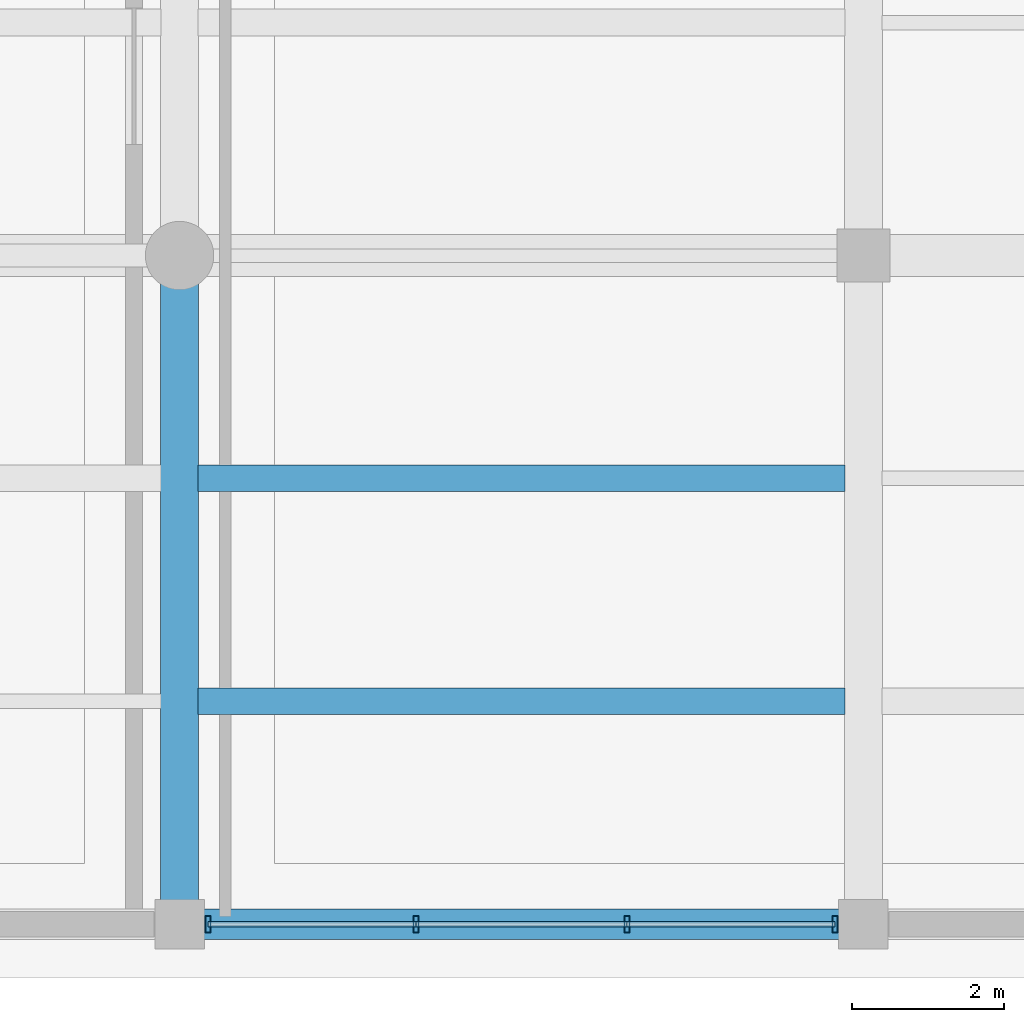
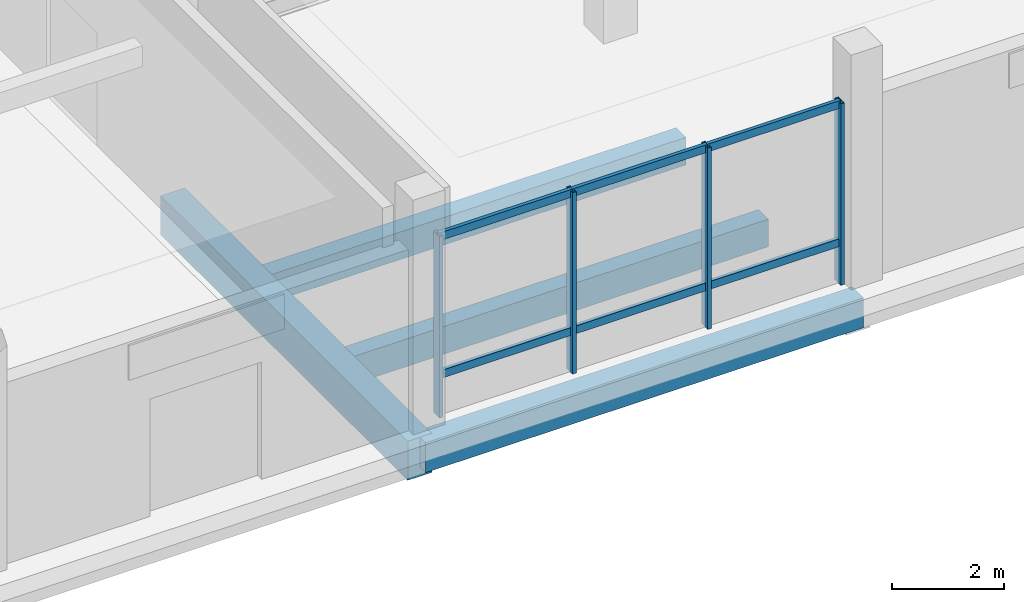
# One storey, part 12 of 73: 10 members, 4 beams, 1 element without a shape of its own.
"""IFC4 building model written with IfcOpenShell, lengths in metres."""

from ifc_helpers import new_model, si_unit, direction, frame, origin, origin_2d, place, context, subcontext, project, spatial, rectangle, hollow_rectangle, extrude, material, layer, layer_set, material_profile, profile_set, type_object, element, aggregate, save


model = new_model("IFC4")

# Units and contexts
model_context = context("Model", 3, precision=1e-05, world=origin(), true_north=direction((0.0, 1.0)))
body_context = subcontext(model_context, "Body", "Model", "MODEL_VIEW")
ifc_project = project(units=[si_unit("LENGTHUNIT", "METRE"), si_unit("AREAUNIT", "SQUARE_METRE"), si_unit("VOLUMEUNIT", "CUBIC_METRE"), si_unit("PLANEANGLEUNIT", "RADIAN"), si_unit("MASSUNIT", "GRAM", prefix="KILO")], contexts=[model_context])

# Site, building, storey
site_placement = place(None, origin())
site = spatial("IfcSite", under=ifc_project, at=site_placement, CompositionType="ELEMENT")
building_placement = place(site_placement, origin())
building = spatial("IfcBuilding", under=site, at=building_placement, Name="Meriwether Solvik Hall", CompositionType="ELEMENT")
storey_placement = place(building_placement, origin())
storey = spatial("IfcBuildingStorey", under=building, at=storey_placement, Name="L00", CompositionType="ELEMENT", Elevation=0.0)

# Beams
ifc_material_1 = material(Name="Concrete C40/50", Category="concrete")
ifc_material_profile_1 = material_profile(ifc_material_1, rectangle(XDim=0.35009765625, YDim=0.60009765625, at=origin_2d()), Name="RCB-350X600")
ifc_profile_set_1 = profile_set([ifc_material_profile_1], Name="Concrete C40/50")
beam_type_1 = type_object("IfcBeamType", Name="BM-RC-350X600", PredefinedType="JOIST", material=ifc_profile_set_1)
for number, where, z_axis, x_axis, name in (
    (1, (87.044921875, 8.13330078125, -0.659912109375), (1.0, 0.0, 0.0), (0.0, 1.0, 0.0), "Secondary Floor Joist 10/A_J1 (L00)"),
    (2, (87.044921875, 11.066650390625, -0.659912109375), (1.0, 0.0, 0.0), (0.0, 1.0, 0.0), "Secondary Floor Joist 10/A_J2 (L00)"),
):
    element("IfcBeam", number, at=place(storey_placement, frame(where, z_axis=z_axis, x_axis=x_axis)), inside=storey, type_object=beam_type_1, Name=name, PredefinedType="JOIST", context=body_context, shape_type="SweptSolid", body=[
        extrude(rectangle(XDim=0.35009765625, YDim=0.60009765625, at=origin_2d()), origin(), (0.0, 0.0, 1.0), 8.510009765625),
    ])
ifc_material_2 = material(Name="Concrete C40/50", Category="concrete")
ifc_material_profile_2 = material_profile(ifc_material_2, rectangle(XDim=0.39990234375, YDim=0.64990234375, at=origin_2d()), Name="RCB-400X650")
ifc_profile_set_2 = profile_set([ifc_material_profile_2], Name="Concrete C40/50")
beam_type_2 = type_object("IfcBeamType", Name="BM-RC-400X650", PredefinedType="SPANDREL", material=ifc_profile_set_2)
beam_1_placement = place(storey_placement, frame((86.800048828125, 5.199951171875, -0.68505859375), z_axis=(1.0, 0.0, 0.0), x_axis=(0.0, 1.0, 0.0)))
element("IfcBeam", 3, at=beam_1_placement, inside=storey, type_object=beam_type_2, Name="Podium Girder A:10-11 (L00)", PredefinedType="SPANDREL", context=body_context, shape_type="SweptSolid", body=[
    extrude(rectangle(XDim=0.39990234375, YDim=0.64990234375, at=origin_2d()), origin(), (0.0, 0.0, 1.0), 9.0),
])
ifc_material_3 = material(Name="Concrete C40/50", Category="concrete")
ifc_material_profile_3 = material_profile(ifc_material_3, rectangle(XDim=0.5, YDim=0.85009765625, at=origin_2d()), Name="RCB-500X850")
ifc_profile_set_3 = profile_set([ifc_material_profile_3], Name="Concrete C40/50")
beam_type_3 = type_object("IfcBeamType", Name="BM-RC-500X850", PredefinedType="BEAM", material=ifc_profile_set_3)
beam_2_placement = place(storey_placement, frame((86.800048828125, 5.199951171875, -0.784912109375), z_axis=(0.0, 1.0, 0.0), x_axis=(-1.0, 0.0, 0.0)))
element("IfcBeam", 4, at=beam_2_placement, inside=storey, type_object=beam_type_3, Name="Podium Girder 10:A-B (L00)", PredefinedType="BEAM", context=body_context, shape_type="SweptSolid", body=[
    extrude(rectangle(XDim=0.5, YDim=0.85009765625, at=origin_2d()), origin(), (0.0, 0.0, 1.0), 8.800048828125),
])

# Curtain wall, members
ifc_material_4 = material(Name="Thermally Broken Anodised Aluminium 6063-T6 and Low-E Glass", Category="aluminium")
ifc_layer = layer(ifc_material_4, 0.179931640625)
ifc_layer_set = layer_set([ifc_layer], Name="Thermally Broken Anodised Aluminium 6063-T6 and Low-E Glass")
curtain_wall_type = type_object("IfcCurtainWallType", Name="CW-SF-POD-A", PredefinedType="USERDEFINED", material=ifc_layer_set)
curtain_wall_placement = place(storey_placement, origin())
curtain_wall = element("IfcCurtainWall", 5, at=curtain_wall_placement, inside=storey, type_object=curtain_wall_type, Name="Curtain Wall wing_XA_10_9 (L00)", ObjectType="STICK STOREFRONT GLAZING", PredefinedType="USERDEFINED")
ifc_material_5 = material(Name="Anodised Aluminium 6063-T6", Category="aluminium")
ifc_material_profile_4 = material_profile(ifc_material_5, hollow_rectangle(XDim=0.074951171875, YDim=0.219970703125, WallThickness=0.005615234375, at=origin_2d()), Name="CWM-75X220")
ifc_profile_set_4 = profile_set([ifc_material_profile_4], Name="Anodised Aluminium 6063-T6")
member_type_1 = type_object("IfcMemberType", Name="CW-MUL-75X220", PredefinedType="MULLION", material=ifc_profile_set_4)
member_1_placement = place(storey_placement, frame((95.425048828125, 5.199951171875, 0.0), z_axis=(0.0, 0.0, 1.0), x_axis=(-1.0, 0.0, 0.0)))
member_1 = element("IfcMember", 6, at=member_1_placement, type_object=member_type_1, Name="Curtain Wall Mullion 1", PredefinedType="MULLION", context=body_context, shape_type="SweptSolid", body=[
    extrude(hollow_rectangle(XDim=0.074951171875, YDim=0.219970703125, WallThickness=0.005615234375, at=origin_2d()), origin(), (0.0, 0.0, 1.0), 3.93994140625),
])
member_2_placement = place(storey_placement, frame((92.687744140625, 5.199951171875, 0.0), z_axis=(0.0, 0.0, 1.0), x_axis=(-1.0, 0.0, 0.0)))
member_2 = element("IfcMember", 7, at=member_2_placement, type_object=member_type_1, Name="Curtain Wall Mullion 2", PredefinedType="MULLION", context=body_context, shape_type="SweptSolid", body=[
    extrude(hollow_rectangle(XDim=0.074951171875, YDim=0.219970703125, WallThickness=0.005615234375, at=origin_2d()), origin(), (0.0, 0.0, 1.0), 3.93994140625),
])
member_3_placement = place(storey_placement, frame((89.912353515625, 5.199951171875, 0.0), z_axis=(0.0, 0.0, 1.0), x_axis=(-1.0, 0.0, 0.0)))
member_3 = element("IfcMember", 8, at=member_3_placement, type_object=member_type_1, Name="Curtain Wall Mullion 3", PredefinedType="MULLION", context=body_context, shape_type="SweptSolid", body=[
    extrude(hollow_rectangle(XDim=0.074951171875, YDim=0.219970703125, WallThickness=0.005615234375, at=origin_2d()), origin(), (0.0, 0.0, 1.0), 3.93994140625),
])
member_4_placement = place(storey_placement, frame((87.175048828125, 5.199951171875, 0.0), z_axis=(0.0, 0.0, 1.0), x_axis=(-1.0, 0.0, 0.0)))
member_4 = element("IfcMember", 9, at=member_4_placement, type_object=member_type_1, Name="Curtain Wall Mullion 4", PredefinedType="MULLION", context=body_context, shape_type="SweptSolid", body=[
    extrude(hollow_rectangle(XDim=0.074951171875, YDim=0.219970703125, WallThickness=0.005615234375, at=origin_2d()), origin(), (0.0, 0.0, 1.0), 3.93994140625),
])
ifc_material_6 = material(Name="Anodised Aluminium 6063-T6", Category="aluminium")
ifc_material_profile_5 = material_profile(ifc_material_6, hollow_rectangle(XDim=0.074951171875, YDim=0.169921875, WallThickness=0.005615234375, at=origin_2d()), Name="CWT-75X170")
ifc_profile_set_5 = profile_set([ifc_material_profile_5], Name="Anodised Aluminium 6063-T6")
member_type_2 = type_object("IfcMemberType", Name="CW-TRN-75X170", PredefinedType="USERDEFINED", material=ifc_profile_set_5)
member_5_placement = place(storey_placement, frame((95.425048828125, 5.199951171875, 0.8798828125), z_axis=(-1.0, 0.0, 0.0), x_axis=(0.0, -1.0, 0.0)))
member_5 = element("IfcMember", 10, at=member_5_placement, type_object=member_type_2, Name="Curtain Wall Transom 1-sill", ObjectType="TRANSOM", PredefinedType="USERDEFINED", context=body_context, shape_type="SweptSolid", body=[
    extrude(hollow_rectangle(XDim=0.074951171875, YDim=0.169921875, WallThickness=0.005615234375, at=origin_2d()), origin(), (0.0, 0.0, 1.0), 2.7373046875),
])
member_6_placement = place(storey_placement, frame((95.425048828125, 5.199951171875, 3.8798828125), z_axis=(-1.0, 0.0, 0.0), x_axis=(0.0, -1.0, 0.0)))
member_6 = element("IfcMember", 11, at=member_6_placement, type_object=member_type_2, Name="Curtain Wall Transom 1-head", ObjectType="TRANSOM", PredefinedType="USERDEFINED", context=body_context, shape_type="SweptSolid", body=[
    extrude(hollow_rectangle(XDim=0.074951171875, YDim=0.169921875, WallThickness=0.005615234375, at=origin_2d()), origin(), (0.0, 0.0, 1.0), 2.7373046875),
])
member_7_placement = place(storey_placement, frame((92.687744140625, 5.199951171875, 0.8798828125), z_axis=(-1.0, 0.0, 0.0), x_axis=(0.0, -1.0, 0.0)))
member_7 = element("IfcMember", 12, at=member_7_placement, type_object=member_type_2, Name="Curtain Wall Transom 2-sill", ObjectType="TRANSOM", PredefinedType="USERDEFINED", context=body_context, shape_type="SweptSolid", body=[
    extrude(hollow_rectangle(XDim=0.074951171875, YDim=0.169921875, WallThickness=0.005615234375, at=origin_2d()), origin(), (0.0, 0.0, 1.0), 2.775390625),
])
member_8_placement = place(storey_placement, frame((92.687744140625, 5.199951171875, 3.8798828125), z_axis=(-1.0, 0.0, 0.0), x_axis=(0.0, -1.0, 0.0)))
member_8 = element("IfcMember", 13, at=member_8_placement, type_object=member_type_2, Name="Curtain Wall Transom 2-head", ObjectType="TRANSOM", PredefinedType="USERDEFINED", context=body_context, shape_type="SweptSolid", body=[
    extrude(hollow_rectangle(XDim=0.074951171875, YDim=0.169921875, WallThickness=0.005615234375, at=origin_2d()), origin(), (0.0, 0.0, 1.0), 2.775390625),
])
member_9_placement = place(storey_placement, frame((89.912353515625, 5.199951171875, 0.8798828125), z_axis=(-1.0, 0.0, 0.0), x_axis=(0.0, -1.0, 0.0)))
member_9 = element("IfcMember", 14, at=member_9_placement, type_object=member_type_2, Name="Curtain Wall Transom 3-sill", ObjectType="TRANSOM", PredefinedType="USERDEFINED", context=body_context, shape_type="SweptSolid", body=[
    extrude(hollow_rectangle(XDim=0.074951171875, YDim=0.169921875, WallThickness=0.005615234375, at=origin_2d()), origin(), (0.0, 0.0, 1.0), 2.7373046875),
])
member_10_placement = place(storey_placement, frame((89.912353515625, 5.199951171875, 3.8798828125), z_axis=(-1.0, 0.0, 0.0), x_axis=(0.0, -1.0, 0.0)))
member_10 = element("IfcMember", 15, at=member_10_placement, type_object=member_type_2, Name="Curtain Wall Transom 3-head", ObjectType="TRANSOM", PredefinedType="USERDEFINED", context=body_context, shape_type="SweptSolid", body=[
    extrude(hollow_rectangle(XDim=0.074951171875, YDim=0.169921875, WallThickness=0.005615234375, at=origin_2d()), origin(), (0.0, 0.0, 1.0), 2.7373046875),
])
aggregate(curtain_wall, [member_1, member_2, member_3, member_4, member_5, member_6, member_7, member_8, member_9, member_10])

save(model, "model.ifc")
